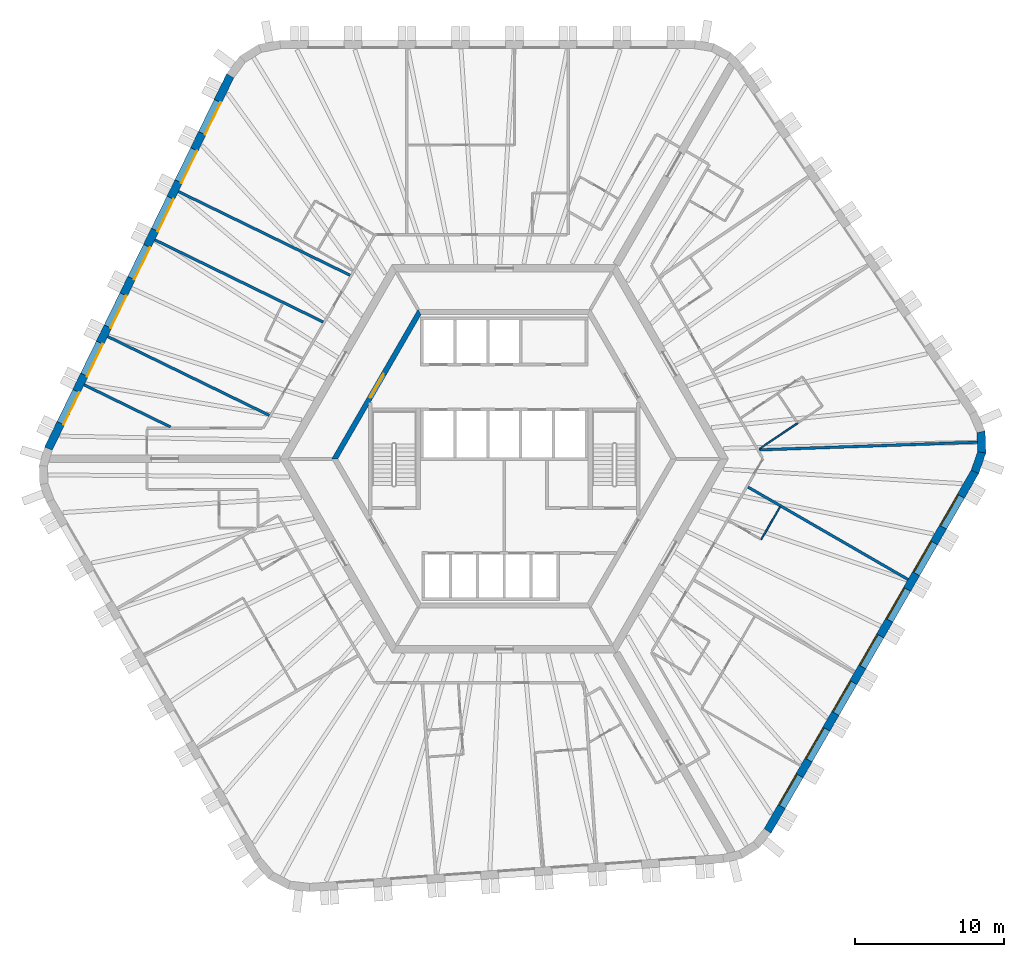
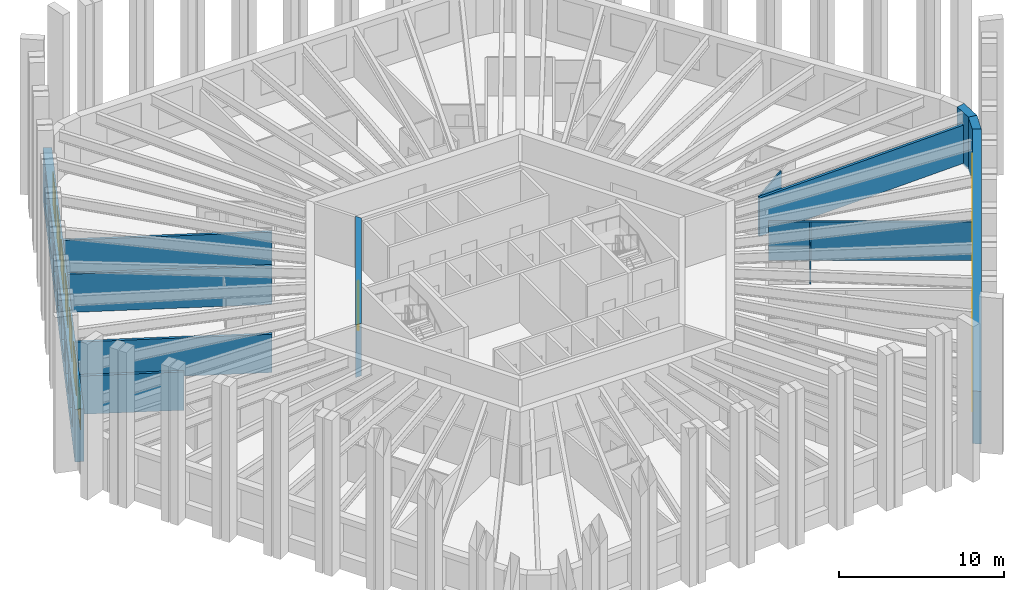
# One storey, part 6 of 10: 14 windows, 13 walls, 1 door, 15 openings.
"""IFC4 building model written with IfcOpenShell, lengths in metres."""

from ifc_helpers import new_model, si_unit, direction, frame, frame_2d, origin, place, context, subcontext, project, spatial, polyline, rectangle, outline, extrude, material, layer, layer_set, type_object, element, fill, save


model = new_model("IFC4")

# Units and contexts
model_context = context("Model", 3, precision=1e-05, world=origin(), true_north=direction((0.0, 1.0)))
body_context = subcontext(model_context, "Body", "Model", "MODEL_VIEW")
ifc_project = project(units=[si_unit("LENGTHUNIT", "METRE"), si_unit("AREAUNIT", "SQUARE_METRE"), si_unit("VOLUMEUNIT", "CUBIC_METRE"), si_unit("PLANEANGLEUNIT", "RADIAN"), si_unit("MASSUNIT", "GRAM", prefix="KILO")], contexts=[model_context])

# Site, building, storey
site_placement = place(None, origin())
site = spatial("IfcSite", under=ifc_project, at=site_placement, CompositionType="ELEMENT")
building_placement = place(site_placement, origin())
building = spatial("IfcBuilding", under=site, at=building_placement, Name="Tarnside Tower", CompositionType="ELEMENT")
storey_placement = place(building_placement, frame((0.0, 0.0, 238.5)))
storey = spatial("IfcBuildingStorey", under=building, at=storey_placement, Name="L57", CompositionType="ELEMENT", Elevation=238.5)

# Walls
ifc_material_1 = material(Name="Gypsum board partition on steel studs", Category="steel")
ifc_layer_1 = layer(ifc_material_1, 0.10009765625)
ifc_layer_set_1 = layer_set([ifc_layer_1], Name="Bathroom wall 100")
wall_type_1 = type_object("IfcWallType", Name="Bathroom wall 100", PredefinedType="PARTITIONING", material=ifc_layer_set_1)
wall_1_placement = place(storey_placement, frame((18.4560546875, -3.2333984375, 0.0), z_axis=(0.0, 0.0, 1.0), x_axis=(-0.500062048339, -0.865989577195, 0.0)))
element("IfcWall", 1, at=wall_1_placement, inside=storey, type_object=wall_type_1, Name="Bathroom wall 19105", PredefinedType="PARTITIONING", context=body_context, shape_type="SweptSolid", body=[
    extrude(rectangle(XDim=2.510009765625, YDim=0.10009765625, at=frame_2d((1.2548828125, 0.0))), origin(), (0.0, 0.0, 1.0), 2.837890625),
])
wall_2_placement = place(storey_placement, frame((19.6416015625, 2.389404296875, 0.0), z_axis=(0.0, 0.0, 1.0), x_axis=(-0.82902628405, -0.559209639004, 0.0)))
element("IfcWall", 2, at=wall_2_placement, inside=storey, type_object=wall_type_1, Name="Bathroom wall 19111", PredefinedType="PARTITIONING", context=body_context, shape_type="SweptSolid", body=[
    extrude(rectangle(XDim=3.04296875, YDim=0.10009765625, at=frame_2d((1.521484375, 0.0))), origin(), (0.0, 0.0, 1.0), 2.837890625),
])

# Wall, opening, door
ifc_material_2 = material(Name="Concrete C50/60", Category="concrete")
ifc_layer_2 = layer(ifc_material_2, 0.35009765625)
ifc_layer_set_2 = layer_set([ifc_layer_2], Name="Core block wall 350 C50/60")
wall_type_2 = type_object("IfcWallType", Name="Core block wall 350 C50/60", PredefinedType="SHEAR", material=ifc_layer_set_2)
wall_3_placement = place(storey_placement, frame((-5.672607421875, 9.824951171875, -0.14990234375), z_axis=(0.0, 0.0, 1.0), x_axis=(-0.499995046907, -0.866028263435, 0.0)))
wall_3 = element("IfcWall", 3, at=wall_3_placement, inside=storey, type_object=wall_type_2, Name="L57 core block wall face 2", PredefinedType="SHEAR", context=body_context, shape_type="SweptSolid", body=[
    extrude(outline(polyline([(-0.10107421875, -0.175048828125), (11.44580078125, -0.175048828125), (11.24365234375, 0.175048828125), (0.10107421875, 0.175048828125), (-0.10107421875, -0.175048828125)])), origin(), (0.0, 0.0, 1.0), 3.89990234375),
])
opening_1_placement = place(wall_3_placement, frame((4.80126953125, 0.0, 0.14990234375)))
opening_1 = element("IfcOpeningElement", 4, at=opening_1_placement, cuts=wall_3, Name="Opening CD-LOB", PredefinedType="OPENING", context=body_context, shape_type="SweptSolid", body=[
    extrude(rectangle(XDim=1.800048828125, YDim=2.39990234375, at=frame_2d((0.89990234375, 1.199951171875))), frame((0.0, 0.18505859375, 0.0), z_axis=(0.0, -1.0, 0.0), x_axis=(1.0, 0.0, 0.0)), (0.0, 0.0, 1.0), 0.3701171875),
])
ifc_material_3 = material(Name="Steel fire door", Category="steel")
door_type = type_object("IfcDoorType", Name="Lobby double door FD30S 1800x2400", OperationType="NOTDEFINED", PredefinedType="DOOR", material=ifc_material_3)
door_placement = place(opening_1_placement, origin())
door = element("IfcDoor", 5, at=door_placement, inside=storey, type_object=door_type, Name="L57 lobby block door P1", OperationType="DOUBLE_DOOR_SINGLE_SWING", OverallHeight=2.39990234375, OverallWidth=1.800048828125, PredefinedType="DOOR", context=body_context, shape_type="SweptSolid", body=[
    extrude(rectangle(XDim=1.800048828125, YDim=2.39990234375, at=frame_2d((0.89990234375, 1.199951171875))), frame((0.0, 0.02490234375, 0.0), z_axis=(0.0, -1.0, 0.0), x_axis=(1.0, 0.0, 0.0)), (0.0, 0.0, 1.0), 0.050048828125),
])
fill(opening_1, door)

# Walls
ifc_layer_3 = layer(ifc_material_1, 0.179931640625)
ifc_layer_set_3 = layer_set([ifc_layer_3], Name="Demising wall 180 EI 60")
wall_type_3 = type_object("IfcWallType", Name="Demising wall 180 EI 60", PredefinedType="PARTITIONING", material=ifc_layer_set_3)
wall_4_placement = place(storey_placement, frame((-21.814697265625, 17.8916015625, 0.0), z_axis=(0.0, 0.0, 1.0), x_axis=(0.898799253997, -0.438360469265, 0.0)))
element("IfcWall", 6, at=wall_4_placement, inside=storey, type_object=wall_type_3, Name="Demising wall 19067", PredefinedType="PARTITIONING", context=body_context, shape_type="SweptSolid", body=[
    extrude(rectangle(XDim=12.7939453125, YDim=0.179931640625, at=frame_2d((6.39697265625, 0.0))), origin(), (0.0, 0.0, 1.0), 2.837890625),
])
wall_5_placement = place(storey_placement, frame((-23.392822265625, 14.656005859375, 0.0), z_axis=(0.0, 0.0, 1.0), x_axis=(0.898790706576, -0.43837799417, 0.0)))
element("IfcWall", 7, at=wall_5_placement, inside=storey, type_object=wall_type_3, Name="Demising wall 19069", PredefinedType="PARTITIONING", context=body_context, shape_type="SweptSolid", body=[
    extrude(rectangle(XDim=12.542236328125, YDim=0.179931640625, at=frame_2d((6.27099609375, 0.0))), origin(), (0.0, 0.0, 1.0), 2.837890625),
])
wall_6_placement = place(storey_placement, frame((-26.549072265625, 8.1845703125, 0.0), z_axis=(0.0, 0.0, 1.0), x_axis=(0.8987965099, -0.438366095623, 0.0)))
element("IfcWall", 8, at=wall_6_placement, inside=storey, type_object=wall_type_3, Name="Demising wall 19073", PredefinedType="PARTITIONING", context=body_context, shape_type="SweptSolid", body=[
    extrude(rectangle(XDim=12.03857421875, YDim=0.179931640625, at=frame_2d((6.019287109375, 0.0))), origin(), (0.0, 0.0, 1.0), 2.837890625),
])
wall_7_placement = place(storey_placement, frame((-28.127197265625, 4.948974609375, 0.0), z_axis=(0.0, 0.0, 1.0), x_axis=(0.898795032868, -0.438369124017, 0.0)))
element("IfcWall", 9, at=wall_7_placement, inside=storey, type_object=wall_type_3, Name="Demising wall 19074", PredefinedType="PARTITIONING", context=body_context, shape_type="SweptSolid", body=[
    extrude(rectangle(XDim=6.44189453125, YDim=0.179931640625, at=frame_2d((3.220947265625, 0.0))), origin(), (0.0, 0.0, 1.0), 2.837890625),
])
wall_8_placement = place(storey_placement, frame((27.03125, -8.080322265625, 0.0), z_axis=(0.0, 0.0, 1.0), x_axis=(-0.866024931941, 0.500000817256, 0.0)))
element("IfcWall", 10, at=wall_8_placement, inside=storey, type_object=wall_type_3, Name="Demising wall 19107", PredefinedType="PARTITIONING", context=body_context, shape_type="SweptSolid", body=[
    extrude(rectangle(XDim=12.375, YDim=0.179931640625, at=frame_2d((6.1875, 0.0))), origin(), (0.0, 0.0, 1.0), 2.837890625),
])
wall_9_placement = place(storey_placement, frame((31.66650390625, 1.105712890625, 0.0), z_axis=(0.0, 0.0, 1.0), x_axis=(-0.999391305206, -0.034885800543, 0.0)))
element("IfcWall", 11, at=wall_9_placement, inside=storey, type_object=wall_type_3, Name="Demising wall 19109", PredefinedType="PARTITIONING", context=body_context, shape_type="SweptSolid", body=[
    extrude(rectangle(XDim=14.6123046875, YDim=0.179931640625, at=frame_2d((7.30615234375, 0.0))), origin(), (0.0, 0.0, 1.0), 2.837890625),
])

# Wall, openings, windows
ifc_material_4 = material(Name="Facing brick", Category="masonry")
ifc_layer_4 = layer(ifc_material_4, 0.10205078125)
ifc_material_5 = material(Name="Concrete C60/75 precast", Category="concrete")
ifc_layer_5 = layer(ifc_material_5, 0.347900390625)
ifc_material_6 = material(Name="Mineral wool insulation")
ifc_layer_6 = layer(ifc_material_6, 0.10009765625)
ifc_layer_set_4 = layer_set([ifc_layer_4, ifc_layer_5, ifc_layer_6], Name="Tube wall 550 brick faced")
wall_type_4 = type_object("IfcWallType", Name="Tube wall 550 brick faced", PredefinedType="SOLIDWALL", material=ifc_layer_set_4)
wall_10_placement = place(storey_placement, frame((-18.344970703125, 25.6328125, -0.14990234375), z_axis=(0.0, 0.0, 1.0), x_axis=(-0.43837181828, -0.898793718791, 0.0)))
wall_10 = element("IfcWall", 12, at=wall_10_placement, inside=storey, type_object=wall_type_4, Name="Tube wall L57 F2 flush 04", PredefinedType="SOLIDWALL", context=body_context, shape_type="SweptSolid", body=[
    extrude(outline(polyline([(-0.025634765625, -0.27490234375), (27.7802734375, -0.27490234375), (27.7353515625, 0.27490234375), (0.025634765625, 0.27490234375), (-0.025634765625, -0.27490234375)])), origin(), (0.0, 0.0, 1.0), 3.89990234375),
])
opening_2_placement = place(wall_10_placement, frame((1.87890625, 0.0, 1.050048828125)))
opening_2 = element("IfcOpeningElement", 13, at=opening_2_placement, cuts=wall_10, Name="Opening WH", PredefinedType="OPENING", context=body_context, shape_type="SweptSolid", body=[
    extrude(rectangle(XDim=2.39990234375, YDim=2.39990234375, at=frame_2d((1.199951171875, 1.199951171875))), frame((0.0, 0.28515625, 0.0), z_axis=(0.0, -1.0, 0.0), x_axis=(1.0, 0.0, 0.0)), (0.0, 0.0, 1.0), 0.570068359375),
])
opening_3_placement = place(wall_10_placement, frame((5.47900390625, 0.0, 1.050048828125)))
opening_3 = element("IfcOpeningElement", 14, at=opening_3_placement, cuts=wall_10, Name="Opening WH", PredefinedType="OPENING", context=body_context, shape_type="SweptSolid", body=[
    extrude(rectangle(XDim=2.39990234375, YDim=2.39990234375, at=frame_2d((1.199951171875, 1.199951171875))), frame((0.0, 0.28515625, 0.0), z_axis=(0.0, -1.0, 0.0), x_axis=(1.0, 0.0, 0.0)), (0.0, 0.0, 1.0), 0.570068359375),
])
opening_4_placement = place(wall_10_placement, frame((9.078857421875, 0.0, 1.050048828125)))
opening_4 = element("IfcOpeningElement", 15, at=opening_4_placement, cuts=wall_10, Name="Opening WH", PredefinedType="OPENING", context=body_context, shape_type="SweptSolid", body=[
    extrude(rectangle(XDim=2.39990234375, YDim=2.39990234375, at=frame_2d((1.199951171875, 1.199951171875))), frame((0.0, 0.28515625, 0.0), z_axis=(0.0, -1.0, 0.0), x_axis=(1.0, 0.0, 0.0)), (0.0, 0.0, 1.0), 0.570068359375),
])
opening_5_placement = place(wall_10_placement, frame((12.678955078125, 0.0, 1.050048828125)))
opening_5 = element("IfcOpeningElement", 16, at=opening_5_placement, cuts=wall_10, Name="Opening WH", PredefinedType="OPENING", context=body_context, shape_type="SweptSolid", body=[
    extrude(rectangle(XDim=2.39990234375, YDim=2.39990234375, at=frame_2d((1.199951171875, 1.199951171875))), frame((0.0, 0.28515625, 0.0), z_axis=(0.0, -1.0, 0.0), x_axis=(1.0, 0.0, 0.0)), (0.0, 0.0, 1.0), 0.570068359375),
])
opening_6_placement = place(wall_10_placement, frame((16.27880859375, 0.0, 1.050048828125)))
opening_6 = element("IfcOpeningElement", 17, at=opening_6_placement, cuts=wall_10, Name="Opening WH", PredefinedType="OPENING", context=body_context, shape_type="SweptSolid", body=[
    extrude(rectangle(XDim=2.39990234375, YDim=2.39990234375, at=frame_2d((1.199951171875, 1.199951171875))), frame((0.0, 0.28515625, 0.0), z_axis=(0.0, -1.0, 0.0), x_axis=(1.0, 0.0, 0.0)), (0.0, 0.0, 1.0), 0.570068359375),
])
opening_7_placement = place(wall_10_placement, frame((19.87890625, 0.0, 1.050048828125)))
opening_7 = element("IfcOpeningElement", 18, at=opening_7_placement, cuts=wall_10, Name="Opening WH", PredefinedType="OPENING", context=body_context, shape_type="SweptSolid", body=[
    extrude(rectangle(XDim=2.39990234375, YDim=2.39990234375, at=frame_2d((1.199951171875, 1.199951171875))), frame((0.0, 0.28515625, 0.0), z_axis=(0.0, -1.0, 0.0), x_axis=(1.0, 0.0, 0.0)), (0.0, 0.0, 1.0), 0.570068359375),
])
opening_8_placement = place(wall_10_placement, frame((23.47900390625, 0.0, 1.050048828125)))
opening_8 = element("IfcOpeningElement", 19, at=opening_8_placement, cuts=wall_10, Name="Opening WH", PredefinedType="OPENING", context=body_context, shape_type="SweptSolid", body=[
    extrude(rectangle(XDim=2.39990234375, YDim=2.39990234375, at=frame_2d((1.199951171875, 1.199951171875))), frame((0.0, 0.28515625, 0.0), z_axis=(0.0, -1.0, 0.0), x_axis=(1.0, 0.0, 0.0)), (0.0, 0.0, 1.0), 0.570068359375),
])
ifc_material_7 = material(Name="Aluminium-framed double glazing", Category="aluminium")
window_type = type_object("IfcWindowType", Name="Hotel window 2400 x 2400", PartitioningType="DOUBLE_PANEL_VERTICAL", PredefinedType="WINDOW", material=ifc_material_7)
window_1_placement = place(opening_2_placement, frame((0.0, 0.205078125, 0.0)))
window_1 = element("IfcWindow", 20, at=window_1_placement, inside=storey, type_object=window_type, Name="E.WN.L57.F2.00", OverallHeight=2.39990234375, OverallWidth=2.39990234375, PartitioningType="DOUBLE_PANEL_VERTICAL", PredefinedType="WINDOW", context=body_context, shape_type="SweptSolid", body=[
    extrude(rectangle(XDim=2.39990234375, YDim=2.39990234375, at=frame_2d((1.199951171875, 1.199951171875))), frame((0.0, 0.030029296875, 0.0), z_axis=(0.0, -1.0, 0.0), x_axis=(1.0, 0.0, 0.0)), (0.0, 0.0, 1.0), 0.06005859375),
])
fill(opening_2, window_1)
window_2_placement = place(opening_3_placement, frame((0.0, 0.205078125, 0.0)))
window_2 = element("IfcWindow", 21, at=window_2_placement, inside=storey, type_object=window_type, Name="E.WN.L57.F2.01", OverallHeight=2.39990234375, OverallWidth=2.39990234375, PartitioningType="DOUBLE_PANEL_VERTICAL", PredefinedType="WINDOW", context=body_context, shape_type="SweptSolid", body=[
    extrude(rectangle(XDim=2.39990234375, YDim=2.39990234375, at=frame_2d((1.199951171875, 1.199951171875))), frame((0.0, 0.030029296875, 0.0), z_axis=(0.0, -1.0, 0.0), x_axis=(1.0, 0.0, 0.0)), (0.0, 0.0, 1.0), 0.06005859375),
])
fill(opening_3, window_2)
window_3_placement = place(opening_4_placement, frame((0.0, 0.205078125, 0.0)))
window_3 = element("IfcWindow", 22, at=window_3_placement, inside=storey, type_object=window_type, Name="E.WN.L57.F2.02", OverallHeight=2.39990234375, OverallWidth=2.39990234375, PartitioningType="DOUBLE_PANEL_VERTICAL", PredefinedType="WINDOW", context=body_context, shape_type="SweptSolid", body=[
    extrude(rectangle(XDim=2.39990234375, YDim=2.39990234375, at=frame_2d((1.199951171875, 1.199951171875))), frame((0.0, 0.030029296875, 0.0), z_axis=(0.0, -1.0, 0.0), x_axis=(1.0, 0.0, 0.0)), (0.0, 0.0, 1.0), 0.06005859375),
])
fill(opening_4, window_3)
window_4_placement = place(opening_5_placement, frame((0.0, 0.205078125, 0.0)))
window_4 = element("IfcWindow", 23, at=window_4_placement, inside=storey, type_object=window_type, Name="E.WN.L57.F2.03", OverallHeight=2.39990234375, OverallWidth=2.39990234375, PartitioningType="DOUBLE_PANEL_VERTICAL", PredefinedType="WINDOW", context=body_context, shape_type="SweptSolid", body=[
    extrude(rectangle(XDim=2.39990234375, YDim=2.39990234375, at=frame_2d((1.199951171875, 1.199951171875))), frame((0.0, 0.030029296875, 0.0), z_axis=(0.0, -1.0, 0.0), x_axis=(1.0, 0.0, 0.0)), (0.0, 0.0, 1.0), 0.06005859375),
])
fill(opening_5, window_4)
window_5_placement = place(opening_6_placement, frame((0.0, 0.205078125, 0.0)))
window_5 = element("IfcWindow", 24, at=window_5_placement, inside=storey, type_object=window_type, Name="E.WN.L57.F2.04", OverallHeight=2.39990234375, OverallWidth=2.39990234375, PartitioningType="DOUBLE_PANEL_VERTICAL", PredefinedType="WINDOW", context=body_context, shape_type="SweptSolid", body=[
    extrude(rectangle(XDim=2.39990234375, YDim=2.39990234375, at=frame_2d((1.199951171875, 1.199951171875))), frame((0.0, 0.030029296875, 0.0), z_axis=(0.0, -1.0, 0.0), x_axis=(1.0, 0.0, 0.0)), (0.0, 0.0, 1.0), 0.06005859375),
])
fill(opening_6, window_5)
window_6_placement = place(opening_7_placement, frame((0.0, 0.205078125, 0.0)))
window_6 = element("IfcWindow", 25, at=window_6_placement, inside=storey, type_object=window_type, Name="E.WN.L57.F2.05", OverallHeight=2.39990234375, OverallWidth=2.39990234375, PartitioningType="DOUBLE_PANEL_VERTICAL", PredefinedType="WINDOW", context=body_context, shape_type="SweptSolid", body=[
    extrude(rectangle(XDim=2.39990234375, YDim=2.39990234375, at=frame_2d((1.199951171875, 1.199951171875))), frame((0.0, 0.030029296875, 0.0), z_axis=(0.0, -1.0, 0.0), x_axis=(1.0, 0.0, 0.0)), (0.0, 0.0, 1.0), 0.06005859375),
])
fill(opening_7, window_6)
window_7_placement = place(opening_8_placement, frame((0.0, 0.205078125, 0.0)))
window_7 = element("IfcWindow", 26, at=window_7_placement, inside=storey, type_object=window_type, Name="E.WN.L57.F2.06", OverallHeight=2.39990234375, OverallWidth=2.39990234375, PartitioningType="DOUBLE_PANEL_VERTICAL", PredefinedType="WINDOW", context=body_context, shape_type="SweptSolid", body=[
    extrude(rectangle(XDim=2.39990234375, YDim=2.39990234375, at=frame_2d((1.199951171875, 1.199951171875))), frame((0.0, 0.030029296875, 0.0), z_axis=(0.0, -1.0, 0.0), x_axis=(1.0, 0.0, 0.0)), (0.0, 0.0, 1.0), 0.06005859375),
])
fill(opening_8, window_7)

wall_11_placement = place(storey_placement, frame((17.630126953125, -24.913818359375, -0.14990234375), z_axis=(0.0, 0.0, 1.0), x_axis=(0.499998569178, 0.866026229868, 0.0)))
wall_11 = element("IfcWall", 27, at=wall_11_placement, inside=storey, type_object=wall_type_4, Name="Tube wall L57 F5 flush 16", PredefinedType="SOLIDWALL", context=body_context, shape_type="SweptSolid", body=[
    extrude(outline(polyline([(-0.0224609375, -0.27490234375), (27.783447265625, -0.27490234375), (27.732177734375, 0.27490234375), (0.0224609375, 0.27490234375), (-0.0224609375, -0.27490234375)])), origin(), (0.0, 0.0, 1.0), 3.89990234375),
])
opening_9_placement = place(wall_11_placement, frame((1.87890625, 0.0, 1.050048828125)))
opening_9 = element("IfcOpeningElement", 28, at=opening_9_placement, cuts=wall_11, Name="Opening WH", PredefinedType="OPENING", context=body_context, shape_type="SweptSolid", body=[
    extrude(rectangle(XDim=2.39990234375, YDim=2.39990234375, at=frame_2d((1.199951171875, 1.199951171875))), frame((0.0, 0.28515625, 0.0), z_axis=(0.0, -1.0, 0.0), x_axis=(1.0, 0.0, 0.0)), (0.0, 0.0, 1.0), 0.570068359375),
])
opening_10_placement = place(wall_11_placement, frame((5.47900390625, 0.0, 1.050048828125)))
opening_10 = element("IfcOpeningElement", 29, at=opening_10_placement, cuts=wall_11, Name="Opening WH", PredefinedType="OPENING", context=body_context, shape_type="SweptSolid", body=[
    extrude(rectangle(XDim=2.39990234375, YDim=2.39990234375, at=frame_2d((1.199951171875, 1.199951171875))), frame((0.0, 0.28515625, 0.0), z_axis=(0.0, -1.0, 0.0), x_axis=(1.0, 0.0, 0.0)), (0.0, 0.0, 1.0), 0.570068359375),
])
opening_11_placement = place(wall_11_placement, frame((9.078857421875, 0.0, 1.050048828125)))
opening_11 = element("IfcOpeningElement", 30, at=opening_11_placement, cuts=wall_11, Name="Opening WH", PredefinedType="OPENING", context=body_context, shape_type="SweptSolid", body=[
    extrude(rectangle(XDim=2.39990234375, YDim=2.39990234375, at=frame_2d((1.199951171875, 1.199951171875))), frame((0.0, 0.28515625, 0.0), z_axis=(0.0, -1.0, 0.0), x_axis=(1.0, 0.0, 0.0)), (0.0, 0.0, 1.0), 0.570068359375),
])
opening_12_placement = place(wall_11_placement, frame((12.678955078125, 0.0, 1.050048828125)))
opening_12 = element("IfcOpeningElement", 31, at=opening_12_placement, cuts=wall_11, Name="Opening WH", PredefinedType="OPENING", context=body_context, shape_type="SweptSolid", body=[
    extrude(rectangle(XDim=2.39990234375, YDim=2.39990234375, at=frame_2d((1.199951171875, 1.199951171875))), frame((0.0, 0.28515625, 0.0), z_axis=(0.0, -1.0, 0.0), x_axis=(1.0, 0.0, 0.0)), (0.0, 0.0, 1.0), 0.570068359375),
])
opening_13_placement = place(wall_11_placement, frame((16.27880859375, 0.0, 1.050048828125)))
opening_13 = element("IfcOpeningElement", 32, at=opening_13_placement, cuts=wall_11, Name="Opening WH", PredefinedType="OPENING", context=body_context, shape_type="SweptSolid", body=[
    extrude(rectangle(XDim=2.39990234375, YDim=2.39990234375, at=frame_2d((1.199951171875, 1.199951171875))), frame((0.0, 0.28515625, 0.0), z_axis=(0.0, -1.0, 0.0), x_axis=(1.0, 0.0, 0.0)), (0.0, 0.0, 1.0), 0.570068359375),
])
opening_14_placement = place(wall_11_placement, frame((19.87890625, 0.0, 1.050048828125)))
opening_14 = element("IfcOpeningElement", 33, at=opening_14_placement, cuts=wall_11, Name="Opening WH", PredefinedType="OPENING", context=body_context, shape_type="SweptSolid", body=[
    extrude(rectangle(XDim=2.39990234375, YDim=2.39990234375, at=frame_2d((1.199951171875, 1.199951171875))), frame((0.0, 0.28515625, 0.0), z_axis=(0.0, -1.0, 0.0), x_axis=(1.0, 0.0, 0.0)), (0.0, 0.0, 1.0), 0.570068359375),
])
opening_15_placement = place(wall_11_placement, frame((23.47900390625, 0.0, 1.050048828125)))
opening_15 = element("IfcOpeningElement", 34, at=opening_15_placement, cuts=wall_11, Name="Opening WH", PredefinedType="OPENING", context=body_context, shape_type="SweptSolid", body=[
    extrude(rectangle(XDim=2.39990234375, YDim=2.39990234375, at=frame_2d((1.199951171875, 1.199951171875))), frame((0.0, 0.28515625, 0.0), z_axis=(0.0, -1.0, 0.0), x_axis=(1.0, 0.0, 0.0)), (0.0, 0.0, 1.0), 0.570068359375),
])
window_8_placement = place(opening_9_placement, frame((0.0, 0.205078125, 0.0)))
window_8 = element("IfcWindow", 35, at=window_8_placement, inside=storey, type_object=window_type, Name="E.WN.L57.F5.00", OverallHeight=2.39990234375, OverallWidth=2.39990234375, PartitioningType="DOUBLE_PANEL_VERTICAL", PredefinedType="WINDOW", context=body_context, shape_type="SweptSolid", body=[
    extrude(rectangle(XDim=2.39990234375, YDim=2.39990234375, at=frame_2d((1.199951171875, 1.199951171875))), frame((0.0, 0.030029296875, 0.0), z_axis=(0.0, -1.0, 0.0), x_axis=(1.0, 0.0, 0.0)), (0.0, 0.0, 1.0), 0.06005859375),
])
fill(opening_9, window_8)
window_9_placement = place(opening_10_placement, frame((0.0, 0.205078125, 0.0)))
window_9 = element("IfcWindow", 36, at=window_9_placement, inside=storey, type_object=window_type, Name="E.WN.L57.F5.01", OverallHeight=2.39990234375, OverallWidth=2.39990234375, PartitioningType="DOUBLE_PANEL_VERTICAL", PredefinedType="WINDOW", context=body_context, shape_type="SweptSolid", body=[
    extrude(rectangle(XDim=2.39990234375, YDim=2.39990234375, at=frame_2d((1.199951171875, 1.199951171875))), frame((0.0, 0.030029296875, 0.0), z_axis=(0.0, -1.0, 0.0), x_axis=(1.0, 0.0, 0.0)), (0.0, 0.0, 1.0), 0.06005859375),
])
fill(opening_10, window_9)
window_10_placement = place(opening_11_placement, frame((0.0, 0.205078125, 0.0)))
window_10 = element("IfcWindow", 37, at=window_10_placement, inside=storey, type_object=window_type, Name="E.WN.L57.F5.02", OverallHeight=2.39990234375, OverallWidth=2.39990234375, PartitioningType="DOUBLE_PANEL_VERTICAL", PredefinedType="WINDOW", context=body_context, shape_type="SweptSolid", body=[
    extrude(rectangle(XDim=2.39990234375, YDim=2.39990234375, at=frame_2d((1.199951171875, 1.199951171875))), frame((0.0, 0.030029296875, 0.0), z_axis=(0.0, -1.0, 0.0), x_axis=(1.0, 0.0, 0.0)), (0.0, 0.0, 1.0), 0.06005859375),
])
fill(opening_11, window_10)
window_11_placement = place(opening_12_placement, frame((0.0, 0.205078125, 0.0)))
window_11 = element("IfcWindow", 38, at=window_11_placement, inside=storey, type_object=window_type, Name="E.WN.L57.F5.03", OverallHeight=2.39990234375, OverallWidth=2.39990234375, PartitioningType="DOUBLE_PANEL_VERTICAL", PredefinedType="WINDOW", context=body_context, shape_type="SweptSolid", body=[
    extrude(rectangle(XDim=2.39990234375, YDim=2.39990234375, at=frame_2d((1.199951171875, 1.199951171875))), frame((0.0, 0.030029296875, 0.0), z_axis=(0.0, -1.0, 0.0), x_axis=(1.0, 0.0, 0.0)), (0.0, 0.0, 1.0), 0.06005859375),
])
fill(opening_12, window_11)
window_12_placement = place(opening_13_placement, frame((0.0, 0.205078125, 0.0)))
window_12 = element("IfcWindow", 39, at=window_12_placement, inside=storey, type_object=window_type, Name="E.WN.L57.F5.04", OverallHeight=2.39990234375, OverallWidth=2.39990234375, PartitioningType="DOUBLE_PANEL_VERTICAL", PredefinedType="WINDOW", context=body_context, shape_type="SweptSolid", body=[
    extrude(rectangle(XDim=2.39990234375, YDim=2.39990234375, at=frame_2d((1.199951171875, 1.199951171875))), frame((0.0, 0.030029296875, 0.0), z_axis=(0.0, -1.0, 0.0), x_axis=(1.0, 0.0, 0.0)), (0.0, 0.0, 1.0), 0.06005859375),
])
fill(opening_13, window_12)
window_13_placement = place(opening_14_placement, frame((0.0, 0.205078125, 0.0)))
window_13 = element("IfcWindow", 40, at=window_13_placement, inside=storey, type_object=window_type, Name="E.WN.L57.F5.05", OverallHeight=2.39990234375, OverallWidth=2.39990234375, PartitioningType="DOUBLE_PANEL_VERTICAL", PredefinedType="WINDOW", context=body_context, shape_type="SweptSolid", body=[
    extrude(rectangle(XDim=2.39990234375, YDim=2.39990234375, at=frame_2d((1.199951171875, 1.199951171875))), frame((0.0, 0.030029296875, 0.0), z_axis=(0.0, -1.0, 0.0), x_axis=(1.0, 0.0, 0.0)), (0.0, 0.0, 1.0), 0.06005859375),
])
fill(opening_14, window_13)
window_14_placement = place(opening_15_placement, frame((0.0, 0.205078125, 0.0)))
window_14 = element("IfcWindow", 41, at=window_14_placement, inside=storey, type_object=window_type, Name="E.WN.L57.F5.06", OverallHeight=2.39990234375, OverallWidth=2.39990234375, PartitioningType="DOUBLE_PANEL_VERTICAL", PredefinedType="WINDOW", context=body_context, shape_type="SweptSolid", body=[
    extrude(rectangle(XDim=2.39990234375, YDim=2.39990234375, at=frame_2d((1.199951171875, 1.199951171875))), frame((0.0, 0.030029296875, 0.0), z_axis=(0.0, -1.0, 0.0), x_axis=(1.0, 0.0, 0.0)), (0.0, 0.0, 1.0), 0.06005859375),
])
fill(opening_15, window_14)

# Walls
wall_12_placement = place(storey_placement, frame((31.509033203125, -0.874755859375, -0.14990234375), z_axis=(0.0, 0.0, 1.0), x_axis=(0.33111537203, 0.943590276765, 0.0)))
element("IfcWall", 42, at=wall_12_placement, inside=storey, type_object=wall_type_4, Name="Tube wall L57 F5 chord 17", PredefinedType="SOLIDWALL", context=body_context, shape_type="SweptSolid", body=[
    extrude(outline(polyline([(-0.025634765625, -0.27490234375), (1.4306640625, -0.27490234375), (1.3271484375, 0.27490234375), (0.025634765625, 0.27490234375), (-0.025634765625, -0.27490234375)])), origin(), (0.0, 0.0, 1.0), 3.89990234375),
])
wall_13_placement = place(storey_placement, frame((31.965576171875, 0.42626953125, -0.14990234375), z_axis=(0.0, 0.0, 1.0), x_axis=(-0.034876908462, 0.999391615562, 0.0)))
element("IfcWall", 43, at=wall_13_placement, inside=storey, type_object=wall_type_4, Name="Tube wall L57 F5 chord 18", PredefinedType="SOLIDWALL", context=body_context, shape_type="SweptSolid", body=[
    extrude(outline(polyline([(-0.0517578125, -0.27490234375), (1.4306640625, -0.27490234375), (1.3271484375, 0.27490234375), (0.0517578125, 0.27490234375), (-0.0517578125, -0.27490234375)])), origin(), (0.0, 0.0, 1.0), 3.89990234375),
])

save(model, "model.ifc")
